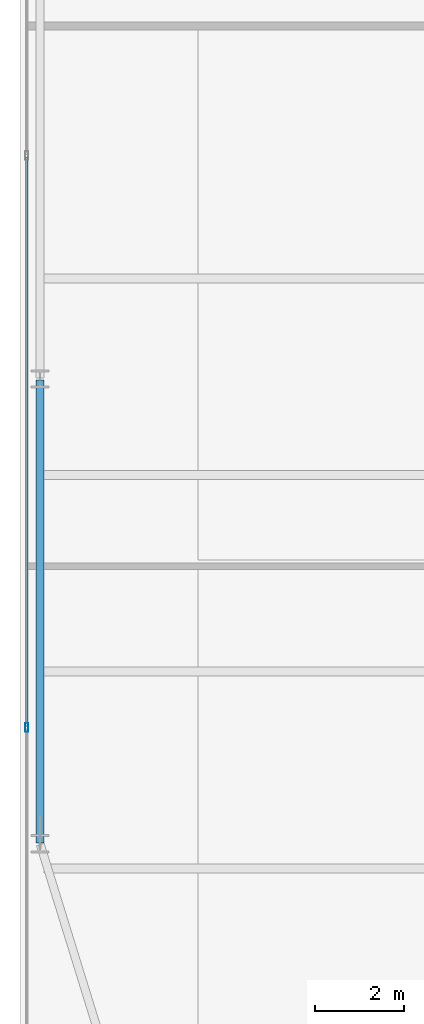
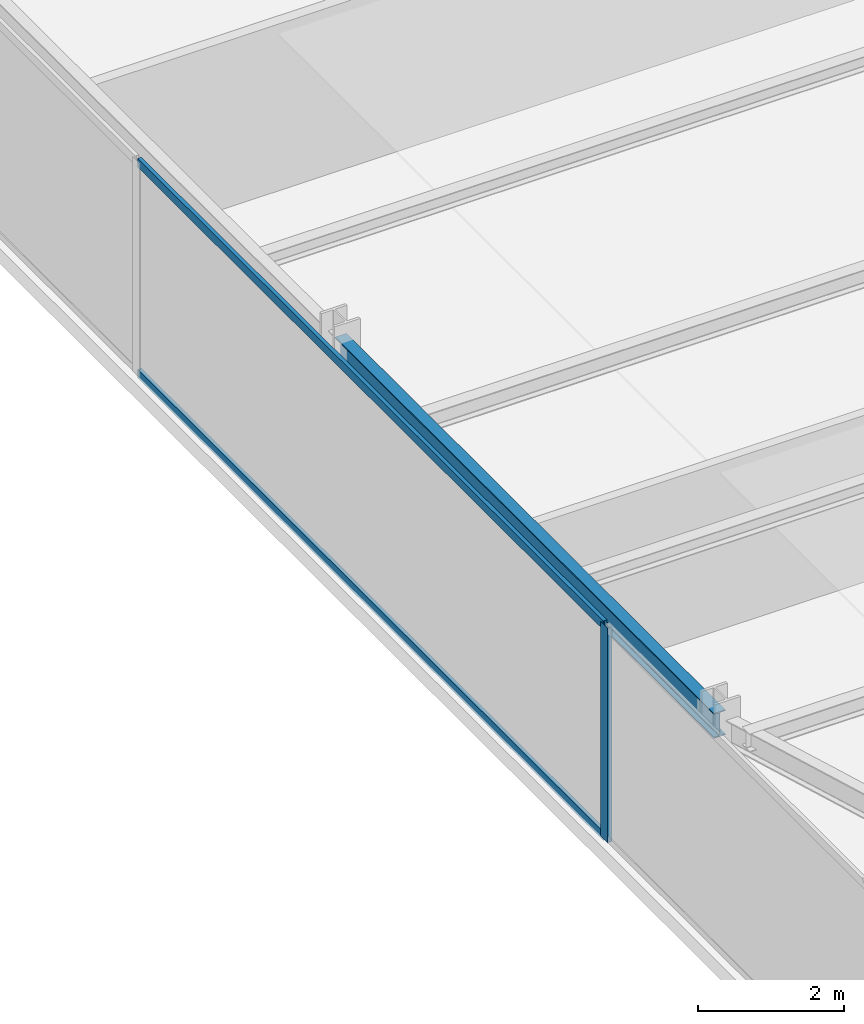
# One storey, part 8 of 32: 3 members, 1 beam, 1 element without a shape of its own.
"""IFC4 building model written with IfcOpenShell, lengths in metres."""

from ifc_helpers import new_model, si_unit, direction, frame, origin, origin_2d, place, context, subcontext, project, spatial, hollow_rectangle, i_section, extrude, source, transform, mapped, material, layer, layer_set, material_profile, profile_set, type_object, type_shapes, element, aggregate, save


model = new_model("IFC4")

# Units and contexts
model_context = context("Model", 3, precision=1e-05, world=origin(), true_north=direction((0.0, 1.0)))
body_context = subcontext(model_context, "Body", "Model", "MODEL_VIEW")
ifc_project = project(units=[si_unit("LENGTHUNIT", "METRE"), si_unit("AREAUNIT", "SQUARE_METRE"), si_unit("VOLUMEUNIT", "CUBIC_METRE"), si_unit("PLANEANGLEUNIT", "RADIAN"), si_unit("MASSUNIT", "GRAM", prefix="KILO")], contexts=[model_context])

# Site, building, storey
site_placement = place(None, origin())
site = spatial("IfcSite", under=ifc_project, at=site_placement, CompositionType="ELEMENT")
building_placement = place(site_placement, origin())
building = spatial("IfcBuilding", under=site, at=building_placement, Name="Varnel Quay Broadcast Tower", CompositionType="ELEMENT")
storey_placement = place(building_placement, frame((0.0, 0.0, 78.300048828125)))
storey = spatial("IfcBuildingStorey", under=building, at=storey_placement, Name="L18", CompositionType="ELEMENT", Elevation=78.300048828125)

# Beam
ifc_material_1 = material(Name="Structural Steel CSA G40.21 350W", Category="steel")
ifc_material_profile_1 = material_profile(ifc_material_1, i_section(OverallWidth=0.180908203125, OverallDepth=0.4169921875, WebThickness=0.010986328125, FlangeThickness=0.018310546875, FilletRadius=0.011962890625, at=origin_2d()), Name="W410X85")
ifc_profile_set_1 = profile_set([ifc_material_profile_1], Name="Structural Steel CSA G40.21 350W")
beam_type = type_object("IfcBeamType", Name="Beam_W410X85", PredefinedType="SPANDREL", material=ifc_profile_set_1)
shared_shape_1 = source(origin(), body_context, "Body", "SweptSolid", [
    extrude(i_section(OverallWidth=0.180908203125, OverallDepth=0.4169921875, WebThickness=0.010986328125, FlangeThickness=0.018310546875, FilletRadius=0.011962890625, at=origin_2d()), origin(), (0.0, 0.0, 1.0), 10.35986328125),
])
type_shapes(beam_type, [shared_shape_1])
beam_placement = place(storey_placement, frame((2.449951171875, 15.02001953125, 3.371337890625), z_axis=(0.0, 1.0, 0.0), x_axis=(-1.0, 0.0, 0.0)))
element("IfcBeam", 1, at=beam_placement, inside=storey, type_object=beam_type, Name="L18 West Spandrel TC-W1-TC-W2", PredefinedType="SPANDREL", context=body_context, shape_type="MappedRepresentation", body=[
    mapped(shared_shape_1, transform((0.0, 0.0, 0.0), x_axis=(1.0, 0.0, 0.0), y_axis=(0.0, 1.0, 0.0), z_axis=(0.0, 0.0, 1.0), scale=1.0)),
])

# Curtain wall, members
ifc_material_2 = material(Name="Anodised Bronze Aluminium 6063-T6", Category="aluminium")
ifc_layer = layer(ifc_material_2, 0.18994140625, Name="Anodised Bronze Aluminium 6063-T6")
ifc_layer_set = layer_set([ifc_layer], Name="Anodised Bronze Aluminium 6063-T6")
curtain_wall_type = type_object("IfcCurtainWallType", Name="CW_LowerTower", PredefinedType="NOTDEFINED", material=ifc_layer_set)
curtain_wall_placement = place(storey_placement, origin())
curtain_wall = element("IfcCurtainWall", 2, at=curtain_wall_placement, inside=storey, type_object=curtain_wall_type, Name="L18 West Unitised Curtain Wall", PredefinedType="NOTDEFINED")
ifc_material_profile_2 = material_profile(ifc_material_2, hollow_rectangle(XDim=0.06005859375, YDim=0.14501953125, WallThickness=0.00341796875, at=origin_2d()), Name="ALU60X145X3.5")
ifc_profile_set_2 = profile_set([ifc_material_profile_2], Name="Anodised Bronze Aluminium 6063-T6")
member_type_1 = type_object("IfcMemberType", Name="Tran_CWS-02", PredefinedType="USERDEFINED", material=ifc_profile_set_2)
shared_shape_2 = source(origin(), body_context, "Body", "SweptSolid", [
    extrude(hollow_rectangle(XDim=0.06005859375, YDim=0.14501953125, WallThickness=0.00341796875, at=origin_2d()), origin(), (0.0, 0.0, 1.0), 12.72998046875),
])
type_shapes(member_type_1, [shared_shape_2])
member_1_placement = place(storey_placement, frame((2.14990234375, 17.635009765625, 0.030029296875), z_axis=(0.0, 1.0, 0.0), x_axis=(-1.0, 0.0, 0.0)))
member_1 = element("IfcMember", 3, at=member_1_placement, type_object=member_type_1, Name="CWS-02 transom 2.1", ObjectType="TRANSOM", PredefinedType="USERDEFINED", context=body_context, shape_type="MappedRepresentation", body=[
    mapped(shared_shape_2, transform((0.0, 0.0, 0.0), x_axis=(1.0, 0.0, 0.0), y_axis=(0.0, 1.0, 0.0), z_axis=(0.0, 0.0, 1.0), scale=1.0)),
])
member_2_placement = place(storey_placement, frame((2.14990234375, 17.635009765625, 3.550048828125), z_axis=(0.0, 1.0, 0.0), x_axis=(-1.0, 0.0, 0.0)))
member_2 = element("IfcMember", 4, at=member_2_placement, type_object=member_type_1, Name="CWS-02 transom 2.2", ObjectType="TRANSOM", PredefinedType="USERDEFINED", context=body_context, shape_type="MappedRepresentation", body=[
    mapped(shared_shape_2, transform((0.0, 0.0, 0.0), x_axis=(1.0, 0.0, 0.0), y_axis=(0.0, 1.0, 0.0), z_axis=(0.0, 0.0, 1.0), scale=1.0)),
])
ifc_material_profile_3 = material_profile(ifc_material_2, hollow_rectangle(XDim=0.070068359375, YDim=0.18994140625, WallThickness=0.00390625, at=origin_2d()), Name="ALU70X190X4")
ifc_profile_set_3 = profile_set([ifc_material_profile_3], Name="Anodised Bronze Aluminium 6063-T6")
member_type_2 = type_object("IfcMemberType", Name="Mull_CWS-02", PredefinedType="MULLION", material=ifc_profile_set_3)
shared_shape_3 = source(origin(), body_context, "Body", "SweptSolid", [
    extrude(hollow_rectangle(XDim=0.070068359375, YDim=0.18994140625, WallThickness=0.00390625, at=origin_2d()), origin(), (0.0, 0.0, 1.0), 3.579833984375),
])
type_shapes(member_type_2, [shared_shape_3])
member_3_placement = place(storey_placement, frame((2.14990234375, 17.60009765625, 0.0), z_axis=(0.0, 0.0, 1.0), x_axis=(-1.0, 0.0, 0.0)))
member_3 = element("IfcMember", 5, at=member_3_placement, type_object=member_type_2, Name="CWS-02 mullion 2", PredefinedType="MULLION", context=body_context, shape_type="MappedRepresentation", body=[
    mapped(shared_shape_3, transform((0.0, 0.0, 0.0), x_axis=(1.0, 0.0, 0.0), y_axis=(0.0, 1.0, 0.0), z_axis=(0.0, 0.0, 1.0), scale=1.0)),
])
aggregate(curtain_wall, [member_3, member_1, member_2])

save(model, "model.ifc")
